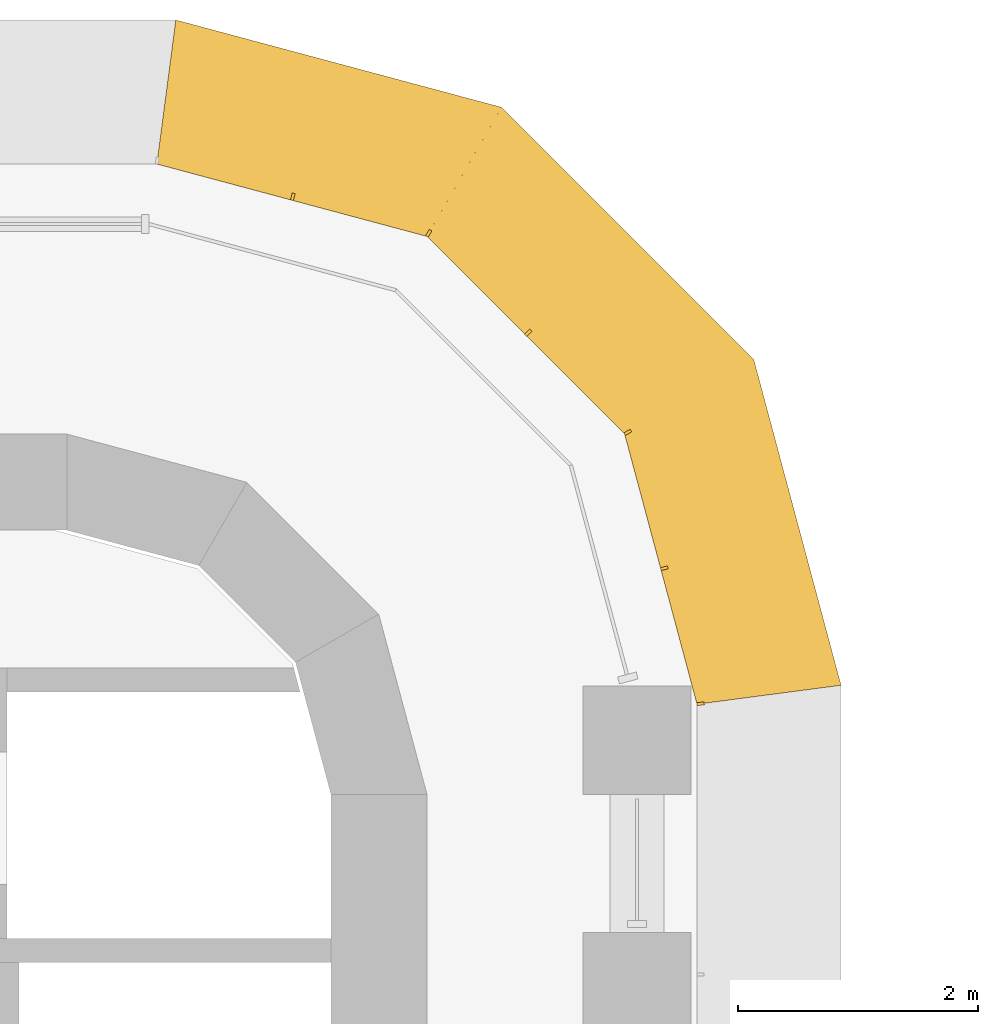
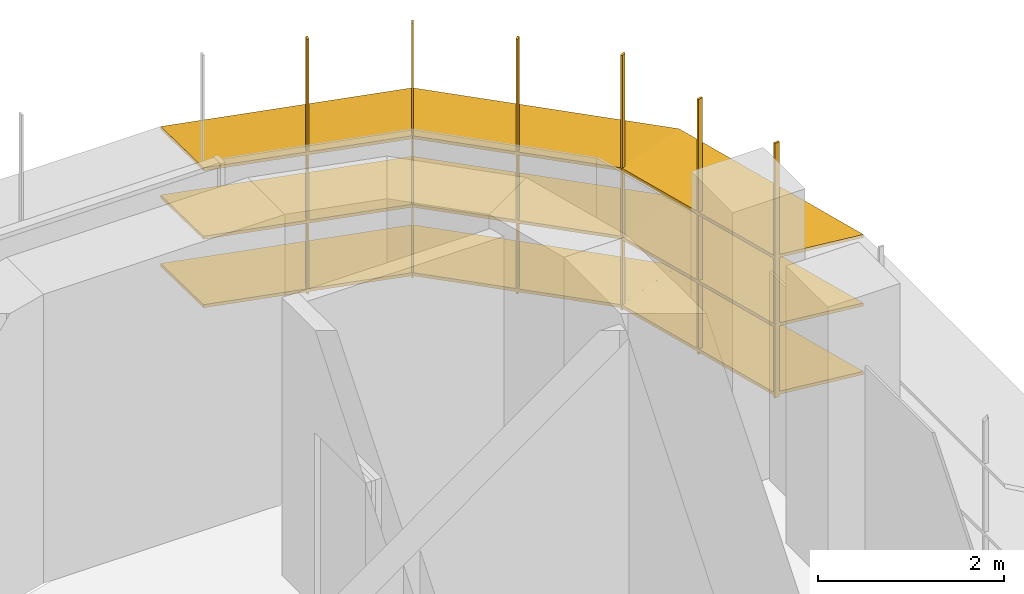
# One storey, part 22 of 22: 1 shading device.
"""IFC4 building model written with IfcOpenShell, lengths in metres."""

from ifc_helpers import new_model, si_unit, direction, frame, origin, place, context, subcontext, project, spatial, polyline, outline, extrude, faceted_brep, source, transform, mapped, material, type_object, element, save


model = new_model("IFC4")

# Units and contexts
model_context = context("Model", 3, precision=1e-05, world=origin(), true_north=direction((0.0, 1.0)))
body_context = subcontext(model_context, "Body", "Model", "MODEL_VIEW")
ifc_project = project(units=[si_unit("LENGTHUNIT", "METRE"), si_unit("AREAUNIT", "SQUARE_METRE"), si_unit("VOLUMEUNIT", "CUBIC_METRE"), si_unit("PLANEANGLEUNIT", "RADIAN"), si_unit("MASSUNIT", "GRAM", prefix="KILO")], contexts=[model_context])

# Site, building, storey
site_placement = place(None, origin())
site = spatial("IfcSite", under=ifc_project, at=site_placement, CompositionType="ELEMENT")
building_placement = place(site_placement, origin())
building = spatial("IfcBuilding", under=site, at=building_placement, Name="Zarbagh Exchange Tower", CompositionType="ELEMENT")
storey_placement = place(building_placement, frame((0.0, 0.0, 109.39990234375)))
storey = spatial("IfcBuildingStorey", under=building, at=storey_placement, Name="L25", CompositionType="ELEMENT", Elevation=109.39990234375)

# Shading device
ifc_material = material(Name="Anodised aluminium blades and brackets", Category="aluminium")
shading_device_type = type_object("IfcShadingDeviceType", Name="SUNSHADE louvre band, 11.25 degree blades", PredefinedType="JALOUSIE", material=ifc_material)
shared_shape_1 = source(origin(), body_context, "Body", "Brep", [
    faceted_brep([(0.0, 0.0, 0.0), (0.0, 0.0, -0.040771484375), (-0.157958984375, -1.199951171875, -0.279541015625), (-0.157958984375, -1.199951171875, -0.23876953125), (2.65087890625, -1.199951171875, -0.23876953125), (2.65087890625, -1.199951171875, -0.279541015625), (2.329345703125, 0.0, -0.040771484375), (2.329345703125, 0.0, 0.0)], [[[0, 1, 2, 3]], [[4, 5, 6, 7]], [[0, 7, 6, 1]], [[1, 6, 5, 2]], [[2, 5, 4, 3]], [[3, 4, 7, 0]]]),
])
shared_shape_2 = source(origin(), body_context, "Body", "Brep", [
    faceted_brep([(0.0, 0.0, 0.0), (0.0, 0.0, -0.040771484375), (-0.321533203125, -1.199951171875, -0.279541015625), (-0.321533203125, -1.199951171875, -0.23876953125), (2.65087890625, -1.199951171875, -0.23876953125), (2.65087890625, -1.199951171875, -0.279541015625), (2.329345703125, 0.0, -0.040771484375), (2.329345703125, 0.0, 0.0)], [[[0, 1, 2, 3]], [[4, 5, 6, 7]], [[0, 7, 6, 1]], [[1, 6, 5, 2]], [[2, 5, 4, 3]], [[3, 4, 7, 0]]]),
])
shared_shape_3 = source(origin(), body_context, "Body", "Brep", [
    faceted_brep([(0.0, 0.0, 0.0), (0.0, 0.0, -0.040771484375), (-0.321533203125, -1.199951171875, -0.279541015625), (-0.321533203125, -1.199951171875, -0.23876953125), (2.4873046875, -1.199951171875, -0.23876953125), (2.4873046875, -1.199951171875, -0.279541015625), (2.329345703125, 0.0, -0.040771484375), (2.329345703125, 0.0, 0.0)], [[[0, 1, 2, 3]], [[4, 5, 6, 7]], [[0, 7, 6, 1]], [[1, 6, 5, 2]], [[2, 5, 4, 3]], [[3, 4, 7, 0]]]),
])
shared_shape_4 = source(origin(), body_context, "Body", "SweptSolid", [
    extrude(outline(polyline([(0.0, -0.012451171875), (0.06005859375, -0.012451171875), (0.06005859375, 0.012451171875), (0.0, 0.012451171875), (0.0, -0.012451171875)])), origin(), (0.0, 0.0, 1.0), 3.350830078125),
])
shading_device_placement = place(storey_placement, origin())
element("IfcShadingDevice", 1, at=shading_device_placement, inside=storey, type_object=shading_device_type, Name="SS26 sunshade band", PredefinedType="JALOUSIE", context=body_context, shape_type="MappedRepresentation", body=[
    mapped(shared_shape_1, transform((6.75, 27.0, 2.300048828125), x_axis=(-0.258824779902, 0.965924289636, 0.0), y_axis=(-0.965924289636, -0.258824779902, 0.0), z_axis=(0.0, 0.0, 1.0))),
    mapped(shared_shape_1, transform((6.75, 27.0, 1.400146484375), x_axis=(-0.258824779902, 0.965924289636, 0.0), y_axis=(-0.965924289636, -0.258824779902, 0.0), z_axis=(0.0, 0.0, 1.0))),
    mapped(shared_shape_1, transform((6.75, 27.0, 0.5), x_axis=(-0.258824779902, 0.965924289636, 0.0), y_axis=(-0.965924289636, -0.258824779902, 0.0), z_axis=(0.0, 0.0, 1.0))),
    mapped(shared_shape_2, transform((6.147216796875, 29.25, 2.300048828125), x_axis=(-0.707106781187, 0.707106781187, 0.0), y_axis=(-0.707106781187, -0.707106781187, 0.0), z_axis=(0.0, 0.0, 1.0))),
    mapped(shared_shape_2, transform((6.147216796875, 29.25, 1.400146484375), x_axis=(-0.707106781187, 0.707106781187, 0.0), y_axis=(-0.707106781187, -0.707106781187, 0.0), z_axis=(0.0, 0.0, 1.0))),
    mapped(shared_shape_2, transform((6.147216796875, 29.25, 0.5), x_axis=(-0.707106781187, 0.707106781187, 0.0), y_axis=(-0.707106781187, -0.707106781187, 0.0), z_axis=(0.0, 0.0, 1.0))),
    mapped(shared_shape_3, transform((4.5, 30.897216796875, 2.300048828125), x_axis=(-0.965924289636, 0.258824779902, 0.0), y_axis=(-0.258824779902, -0.965924289636, 0.0), z_axis=(0.0, 0.0, 1.0))),
    mapped(shared_shape_3, transform((4.5, 30.897216796875, 1.400146484375), x_axis=(-0.965924289636, 0.258824779902, 0.0), y_axis=(-0.258824779902, -0.965924289636, 0.0), z_axis=(0.0, 0.0, 1.0))),
    mapped(shared_shape_3, transform((4.5, 30.897216796875, 0.5), x_axis=(-0.965924289636, 0.258824779902, 0.0), y_axis=(-0.258824779902, -0.965924289636, 0.0), z_axis=(0.0, 0.0, 1.0))),
    mapped(shared_shape_4, transform((6.75, 27.0, 0.42919921875), x_axis=(0.991444457092, 0.130529263012, 0.0), y_axis=(-0.130529263012, 0.991444457092, 0.0), z_axis=(0.0, 0.0, 1.0))),
    mapped(shared_shape_4, transform((6.448486328125, 28.125, 0.42919921875), x_axis=(0.96592421511, 0.258825058029, 0.0), y_axis=(-0.258825058029, 0.96592421511, 0.0), z_axis=(0.0, 0.0, 1.0))),
    mapped(shared_shape_4, transform((6.147216796875, 29.25, 0.42919921875), x_axis=(0.866023812018, 0.50000275701, 0.0), y_axis=(-0.50000275701, 0.866023812018, 0.0), z_axis=(0.0, 0.0, 1.0))),
    mapped(shared_shape_4, transform((5.323486328125, 30.073486328125, 0.42919921875), x_axis=(0.707106781187, 0.707106781187, 0.0), y_axis=(-0.707106781187, 0.707106781187, 0.0), z_axis=(0.0, 0.0, 1.0))),
    mapped(shared_shape_4, transform((4.5, 30.897216796875, 0.42919921875), x_axis=(0.50000275701, 0.866023812018, 0.0), y_axis=(-0.866023812018, 0.50000275701, 0.0), z_axis=(0.0, 0.0, 1.0))),
    mapped(shared_shape_4, transform((3.375, 31.198486328125, 0.42919921875), x_axis=(0.258825058029, 0.96592421511, 0.0), y_axis=(-0.96592421511, 0.258825058029, 0.0), z_axis=(0.0, 0.0, 1.0))),
])

save(model, "model.ifc")
